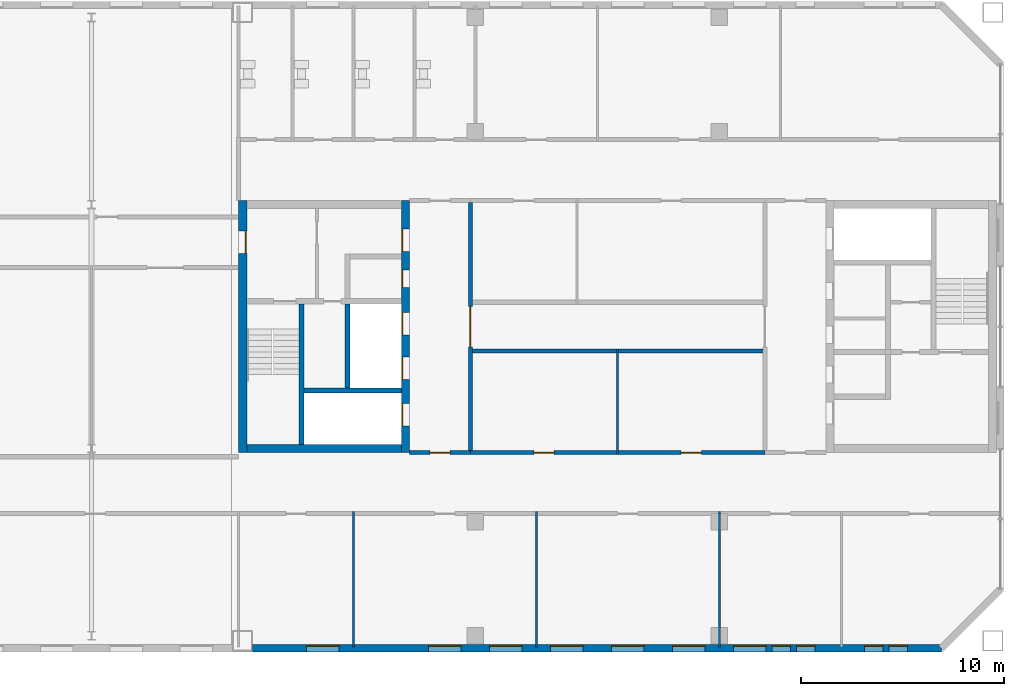
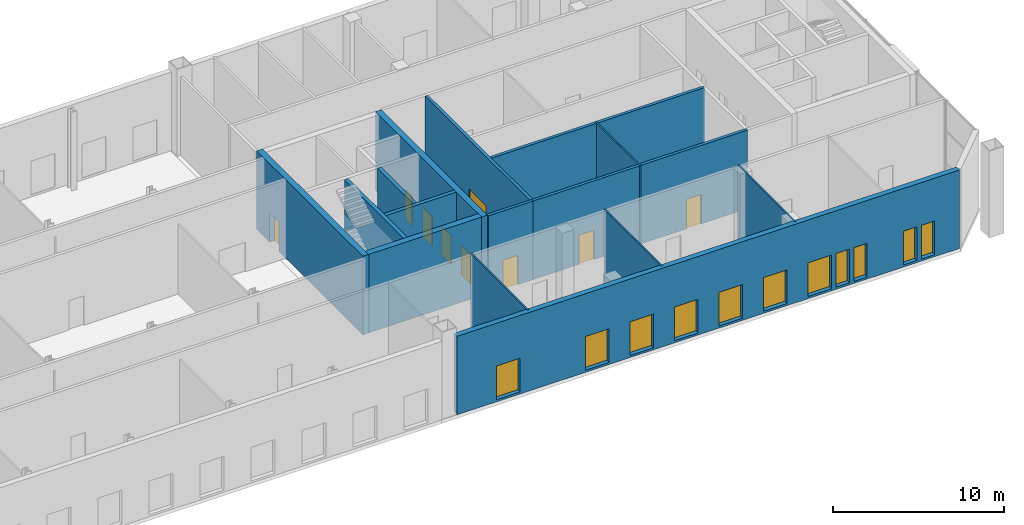
# One storey, part 14 of 20: 15 walls, 11 windows, 10 doors, 21 openings.
"""IFC4 building model written with IfcOpenShell, lengths in metres."""

import ifcopenshell
import ifcopenshell.guid

model = None  # the IFC model being written
_history = None  # IfcOwnerHistory: only IFC2X3 demands one
_inside = {}  # id of a spatial element -> (the spatial element, [elements in it])
_under = {}  # id of a project, library or spatial element -> (it, [spatial elements below it])
_declared = {}  # id of a project -> (the project, [libraries it declares])
_typed = {}  # id of a type object -> (the type object, [elements of that type])
_made_of = {}  # id of a material, layer set ... -> (it, [elements and type objects made of it])


def new_model(schema):
    """Start an empty IFC model of exactly this schema.

    Asked for "IFC4X3", IfcOpenShell would pick the latest addendum, in which some entities
    have other attributes; the version numbers below select the first issue.
    IFC2X3 requires an IfcOwnerHistory on every rooted entity: one is made here for all.
    """
    global model, _history
    if schema == "IFC4X3":
        model = ifcopenshell.file(schema_version=(4, 3, 0, 0))
    else:
        model = ifcopenshell.file(schema=schema)
    _inside.clear()
    _under.clear()
    _declared.clear()
    _typed.clear()
    _made_of.clear()
    _history = None
    if model.schema == "IFC2X3":
        org = make("IfcOrganization", Name="unknown")
        user = make(
            "IfcPersonAndOrganization",
            ThePerson=make("IfcPerson", FamilyName="unknown"),
            TheOrganization=org,
        )
        app = make(
            "IfcApplication",
            ApplicationDeveloper=org,
            Version="unknown",
            ApplicationFullName="unknown",
            ApplicationIdentifier="unknown",
        )
        _history = make(
            "IfcOwnerHistory",
            OwningUser=user,
            OwningApplication=app,
            ChangeAction="ADDED",
            CreationDate=0,
        )
    return model


def make(cls, **values):
    """One entity of the class cls with the attributes given. An attribute that is None is left unset."""
    return model.create_entity(
        cls, **{name: value for name, value in values.items() if value is not None}
    )


def rooted(cls, **values):
    """An entity with a GlobalId (a new one), such as an element, a storey or a relation."""
    return make(cls, GlobalId=ifcopenshell.guid.new(), OwnerHistory=_history, **values)


def si_unit(unit_type, name, prefix=None):
    """IfcSIUnit, for example si_unit("LENGTHUNIT", "METRE", prefix="MILLI")."""
    return make("IfcSIUnit", UnitType=unit_type, Prefix=prefix, Name=name)


def assignment(units):
    """IfcUnitAssignment: the units of a project."""
    return None if units is None else make("IfcUnitAssignment", Units=units)


def point(xyz):
    """IfcCartesianPoint."""
    return None if xyz is None else make("IfcCartesianPoint", Coordinates=xyz)


def direction(xyz):
    """IfcDirection."""
    return None if xyz is None else make("IfcDirection", DirectionRatios=xyz)


def frame(location, z_axis=None, x_axis=None):
    """IfcAxis2Placement3D, a coordinate frame: its origin and axes. An axis left out is left unset."""
    return make(
        "IfcAxis2Placement3D",
        Location=point(location),
        Axis=direction(z_axis),
        RefDirection=direction(x_axis),
    )


def frame_2d(location, x_axis=None):
    """IfcAxis2Placement2D, a coordinate frame in the plane: its origin and x axis."""
    return make(
        "IfcAxis2Placement2D", Location=point(location), RefDirection=direction(x_axis)
    )


def origin():
    """The frame at (0, 0, 0) with its axes left unset."""
    return frame((0.0, 0.0, 0.0))


def place(relative_to, where):
    """IfcLocalPlacement: puts the frame where relative to a parent placement (None: the world)."""
    return make(
        "IfcLocalPlacement", PlacementRelTo=relative_to, RelativePlacement=where
    )


def context(
    kind, dimensions, precision=None, world=None, true_north=None, identifier=None
):
    """IfcGeometricRepresentationContext, for example the 3D "Model" context."""
    return make(
        "IfcGeometricRepresentationContext",
        ContextIdentifier=identifier,
        ContextType=kind,
        CoordinateSpaceDimension=dimensions,
        Precision=precision,
        WorldCoordinateSystem=world,
        TrueNorth=true_north,
    )


def subcontext(parent, identifier, kind, view, scale=None):
    """IfcGeometricRepresentationSubContext, for example "Body" below "Model"."""
    return make(
        "IfcGeometricRepresentationSubContext",
        ContextIdentifier=identifier,
        ContextType=kind,
        ParentContext=parent,
        TargetScale=scale,
        TargetView=view,
    )


def project(units=None, contexts=None):
    """IfcProject with its units and contexts."""
    return rooted(
        "IfcProject",
        Name="project",
        RepresentationContexts=contexts,
        UnitsInContext=assignment(units),
    )


def spatial(cls, under=None, at=None, **own):
    """A site, building, storey or space (cls), placed at a placement, below another one or the project."""
    s = rooted(cls, ObjectPlacement=at, **own)
    if under is not None:
        _under.setdefault(under.id(), (under, []))[1].append(s)
    return s


def profile(cls, at=None, kind="AREA", **sizes):
    """A parametric profile (cls). Its sizes go by their IFC names, for example OverallWidth=200.0."""
    return make(cls, ProfileType=kind, Position=at, **sizes)


def rectangle(**sizes):
    """IfcRectangleProfileDef."""
    return profile("IfcRectangleProfileDef", **sizes)


def extrude(swept, where, along, depth):
    """IfcExtrudedAreaSolid: the profile swept, set in the frame where, extruded along a direction by depth."""
    return make(
        "IfcExtrudedAreaSolid",
        SweptArea=swept,
        Position=where,
        ExtrudedDirection=direction(along),
        Depth=depth,
    )


def shape(context_of_items, identifier, shape_type, items):
    """IfcShapeRepresentation: the items that make up one representation, for example the "Body"."""
    return make(
        "IfcShapeRepresentation",
        ContextOfItems=context_of_items,
        RepresentationIdentifier=identifier,
        RepresentationType=shape_type,
        Items=items,
    )


def material(Name=None, Category=None):
    """IfcMaterial."""
    return make("IfcMaterial", Name=Name, Category=Category)


def layer(
    of_material, thickness, ventilated=None, Name=None, Category=None, Priority=None
):
    """IfcMaterialLayer: one layer of a wall or slab, of a material (None: an air gap)."""
    return make(
        "IfcMaterialLayer",
        Material=of_material,
        LayerThickness=thickness,
        IsVentilated=ventilated,
        Name=Name,
        Category=Category,
        Priority=Priority,
    )


def layer_set(layers, Name=None):
    """IfcMaterialLayerSet."""
    return make("IfcMaterialLayerSet", MaterialLayers=layers, LayerSetName=Name)


def made_of(thing, what):
    """Note that an element or type object is made of a material, layer set ...; save() writes the relation."""
    if what is not None:
        _made_of.setdefault(what.id(), (what, []))[1].append(thing)
    return thing


def type_object(cls, material=None, **own):
    """A type object (cls), such as IfcWallType, which elements share."""
    return made_of(rooted(cls, **own), material)


def element(
    cls,
    number,
    at=None,
    inside=None,
    cuts=None,
    type_object=None,
    material=None,
    context=None,
    identifier="Body",
    shape_type=None,
    held_by="IfcProductDefinitionShape",
    body=None,
    shapes=None,
    **own,
):
    """One element of the class cls, such as IfcWall. Its Tag is "e" and its number.

    at: its placement. inside: the storey or other place that contains it. cuts: it is an
    opening in that element (IfcRelVoidsElement). A single representation is given by context,
    identifier, shape_type and body (its items); several are given by shapes. held_by: the class
    of the entity that holds the representations. save() writes the other relations.
    """
    e = rooted(cls, Tag="e%d" % number, ObjectPlacement=at, **own)
    if body is not None:
        shapes = [shape(context, identifier, shape_type, body)]
    if shapes is not None:
        e.Representation = make(held_by, Representations=shapes)
    if inside is not None:
        _inside.setdefault(inside.id(), (inside, []))[1].append(e)
    if cuts is not None:
        rooted(
            "IfcRelVoidsElement", RelatingBuildingElement=cuts, RelatedOpeningElement=e
        )
    if type_object is not None:
        _typed.setdefault(type_object.id(), (type_object, []))[1].append(e)
    return made_of(e, material)


def fill(opening, filler):
    """IfcRelFillsElement: the door or window that sits in an opening."""
    return rooted(
        "IfcRelFillsElement",
        RelatingOpeningElement=opening,
        RelatedBuildingElement=filler,
    )


def aggregate(whole, parts):
    """IfcRelAggregates: a whole, such as a stair, and the parts it consists of."""
    return rooted("IfcRelAggregates", RelatingObject=whole, RelatedObjects=parts)


def save(model, path):
    """Write the relations noted so far, then the file.

    IfcRelAggregates (storeys below a building ...), IfcRelContainedInSpatialStructure (elements
    in a storey), IfcRelDefinesByType, IfcRelAssociatesMaterial and IfcRelDeclares: one each for
    every whole, place, type object, material and project.
    """
    for whole, parts in _under.values():
        aggregate(whole, parts)
    for where, things in _inside.values():
        rooted(
            "IfcRelContainedInSpatialStructure",
            RelatedElements=things,
            RelatingStructure=where,
        )
    for kind, things in _typed.values():
        rooted("IfcRelDefinesByType", RelatedObjects=things, RelatingType=kind)
    for what, things in _made_of.values():
        rooted("IfcRelAssociatesMaterial", RelatedObjects=things, RelatingMaterial=what)
    for by, libraries in _declared.values():
        rooted("IfcRelDeclares", RelatingContext=by, RelatedDefinitions=libraries)
    model.write(path)


model = new_model("IFC4")

# Units and contexts
model_context = context("Model", 3, precision=1e-05, world=origin(), true_north=direction((0.0, 1.0)))
body_context = subcontext(model_context, "Body", "Model", "MODEL_VIEW")
ifc_project = project(units=[si_unit("LENGTHUNIT", "METRE"), si_unit("AREAUNIT", "SQUARE_METRE"), si_unit("VOLUMEUNIT", "CUBIC_METRE"), si_unit("PLANEANGLEUNIT", "RADIAN"), si_unit("MASSUNIT", "GRAM", prefix="KILO")], contexts=[model_context])

# Site, building, storey
site_placement = place(None, origin())
site = spatial("IfcSite", under=ifc_project, at=site_placement, CompositionType="ELEMENT")
building_placement = place(site_placement, origin())
building = spatial("IfcBuilding", under=site, at=building_placement, Name="Tuart Gate Housing", CompositionType="ELEMENT")
storey_placement = place(building_placement, frame((0.0, 0.0, 215.199951171875)))
storey = spatial("IfcBuildingStorey", under=building, at=storey_placement, Name="L61", CompositionType="ELEMENT", Elevation=215.199951171875)

# Wall, openings, windows
ifc_material_1 = material(Name="Brick", Category="masonry")
ifc_layer_1 = layer(ifc_material_1, 0.360107421875)
ifc_layer_set_1 = layer_set([ifc_layer_1], Name="Brick pier and spandrel wall 360")
wall_type_1 = type_object("IfcWallType", Name="Brick pier and spandrel wall 360", PredefinedType="STANDARD", material=ifc_layer_set_1)
wall_1_placement = place(storey_placement, frame((132.050048828125, 54.179931640625, 0.0), z_axis=(0.0, 0.0, 1.0), x_axis=(1.0, 0.0, 0.0)))
wall_1 = element("IfcWall", 1, at=wall_1_placement, inside=storey, type_object=wall_type_1, Name="External wall BLK-S L61", PredefinedType="STANDARD", context=body_context, shape_type="SweptSolid", body=[
    extrude(rectangle(XDim=33.87548828125, YDim=0.360107421875, at=frame_2d((16.937744140625, 0.0))), origin(), (0.0, 0.0, 1.0), 5.60009765625),
])
opening_1_placement = place(wall_1_placement, frame((2.64990234375, 0.0, 0.14990234375)))
opening_1 = element("IfcOpeningElement", 2, at=opening_1_placement, cuts=wall_1, Name="Opening W2", PredefinedType="OPENING", context=body_context, shape_type="SweptSolid", body=[
    extrude(rectangle(XDim=1.60009765625, YDim=2.39990234375, at=frame_2d((0.800048828125, 1.199951171875))), frame((0.0, 0.18994140625, 0.0), z_axis=(0.0, -1.0, 0.0), x_axis=(1.0, 0.0, 0.0)), (0.0, 0.0, 1.0), 0.380126953125),
])
opening_2_placement = place(wall_1_placement, frame((8.64990234375, 0.0, 0.14990234375)))
opening_2 = element("IfcOpeningElement", 3, at=opening_2_placement, cuts=wall_1, Name="Opening W2", PredefinedType="OPENING", context=body_context, shape_type="SweptSolid", body=[
    extrude(rectangle(XDim=1.60009765625, YDim=2.39990234375, at=frame_2d((0.800048828125, 1.199951171875))), frame((0.0, 0.18994140625, 0.0), z_axis=(0.0, -1.0, 0.0), x_axis=(1.0, 0.0, 0.0)), (0.0, 0.0, 1.0), 0.380126953125),
])
opening_3_placement = place(wall_1_placement, frame((11.64990234375, 0.0, 0.14990234375)))
opening_3 = element("IfcOpeningElement", 4, at=opening_3_placement, cuts=wall_1, Name="Opening W2", PredefinedType="OPENING", context=body_context, shape_type="SweptSolid", body=[
    extrude(rectangle(XDim=1.60009765625, YDim=2.39990234375, at=frame_2d((0.800048828125, 1.199951171875))), frame((0.0, 0.18994140625, 0.0), z_axis=(0.0, -1.0, 0.0), x_axis=(1.0, 0.0, 0.0)), (0.0, 0.0, 1.0), 0.380126953125),
])
opening_4_placement = place(wall_1_placement, frame((14.64990234375, 0.0, 0.14990234375)))
opening_4 = element("IfcOpeningElement", 5, at=opening_4_placement, cuts=wall_1, Name="Opening W2", PredefinedType="OPENING", context=body_context, shape_type="SweptSolid", body=[
    extrude(rectangle(XDim=1.60009765625, YDim=2.39990234375, at=frame_2d((0.800048828125, 1.199951171875))), frame((0.0, 0.18994140625, 0.0), z_axis=(0.0, -1.0, 0.0), x_axis=(1.0, 0.0, 0.0)), (0.0, 0.0, 1.0), 0.380126953125),
])
opening_5_placement = place(wall_1_placement, frame((17.64990234375, 0.0, 0.14990234375)))
opening_5 = element("IfcOpeningElement", 6, at=opening_5_placement, cuts=wall_1, Name="Opening W2", PredefinedType="OPENING", context=body_context, shape_type="SweptSolid", body=[
    extrude(rectangle(XDim=1.60009765625, YDim=2.39990234375, at=frame_2d((0.800048828125, 1.199951171875))), frame((0.0, 0.18994140625, 0.0), z_axis=(0.0, -1.0, 0.0), x_axis=(1.0, 0.0, 0.0)), (0.0, 0.0, 1.0), 0.380126953125),
])
opening_6_placement = place(wall_1_placement, frame((20.64990234375, 0.0, 0.14990234375)))
opening_6 = element("IfcOpeningElement", 7, at=opening_6_placement, cuts=wall_1, Name="Opening W2", PredefinedType="OPENING", context=body_context, shape_type="SweptSolid", body=[
    extrude(rectangle(XDim=1.60009765625, YDim=2.39990234375, at=frame_2d((0.800048828125, 1.199951171875))), frame((0.0, 0.18994140625, 0.0), z_axis=(0.0, -1.0, 0.0), x_axis=(1.0, 0.0, 0.0)), (0.0, 0.0, 1.0), 0.380126953125),
])
opening_7_placement = place(wall_1_placement, frame((23.64990234375, 0.0, 0.14990234375)))
opening_7 = element("IfcOpeningElement", 8, at=opening_7_placement, cuts=wall_1, Name="Opening W2", PredefinedType="OPENING", context=body_context, shape_type="SweptSolid", body=[
    extrude(rectangle(XDim=1.60009765625, YDim=2.39990234375, at=frame_2d((0.800048828125, 1.199951171875))), frame((0.0, 0.18994140625, 0.0), z_axis=(0.0, -1.0, 0.0), x_axis=(1.0, 0.0, 0.0)), (0.0, 0.0, 1.0), 0.380126953125),
])
opening_8_placement = place(wall_1_placement, frame((25.550048828125, 0.0, 0.14990234375)))
opening_8 = element("IfcOpeningElement", 9, at=opening_8_placement, cuts=wall_1, Name="Opening W2B", PredefinedType="OPENING", context=body_context, shape_type="SweptSolid", body=[
    extrude(rectangle(XDim=0.89990234375, YDim=2.39990234375, at=frame_2d((0.449951171875, 1.199951171875))), frame((0.0, 0.18994140625, 0.0), z_axis=(0.0, -1.0, 0.0), x_axis=(1.0, 0.0, 0.0)), (0.0, 0.0, 1.0), 0.380126953125),
])
opening_9_placement = place(wall_1_placement, frame((30.10009765625, 0.0, 0.14990234375)))
opening_9 = element("IfcOpeningElement", 10, at=opening_9_placement, cuts=wall_1, Name="Opening W2B", PredefinedType="OPENING", context=body_context, shape_type="SweptSolid", body=[
    extrude(rectangle(XDim=0.89990234375, YDim=2.39990234375, at=frame_2d((0.449951171875, 1.199951171875))), frame((0.0, 0.18994140625, 0.0), z_axis=(0.0, -1.0, 0.0), x_axis=(1.0, 0.0, 0.0)), (0.0, 0.0, 1.0), 0.380126953125),
])
opening_10_placement = place(wall_1_placement, frame((26.75, 0.0, 0.14990234375)))
opening_10 = element("IfcOpeningElement", 11, at=opening_10_placement, cuts=wall_1, Name="Opening W2B", PredefinedType="OPENING", context=body_context, shape_type="SweptSolid", body=[
    extrude(rectangle(XDim=0.89990234375, YDim=2.39990234375, at=frame_2d((0.449951171875, 1.199951171875))), frame((0.0, 0.18994140625, 0.0), z_axis=(0.0, -1.0, 0.0), x_axis=(1.0, 0.0, 0.0)), (0.0, 0.0, 1.0), 0.380126953125),
])
opening_11_placement = place(wall_1_placement, frame((31.300048828125, 0.0, 0.14990234375)))
opening_11 = element("IfcOpeningElement", 12, at=opening_11_placement, cuts=wall_1, Name="Opening W2B", PredefinedType="OPENING", context=body_context, shape_type="SweptSolid", body=[
    extrude(rectangle(XDim=0.89990234375, YDim=2.39990234375, at=frame_2d((0.449951171875, 1.199951171875))), frame((0.0, 0.18994140625, 0.0), z_axis=(0.0, -1.0, 0.0), x_axis=(1.0, 0.0, 0.0)), (0.0, 0.0, 1.0), 0.380126953125),
])
ifc_material_2 = material(Name="Aluminium frame with clear glass", Category="aluminium")
window_type_1 = type_object("IfcWindowType", Name="Garden lounge window 1600 x 2400", PartitioningType="SINGLE_PANEL", PredefinedType="WINDOW", material=ifc_material_2)
window_1_placement = place(opening_1_placement, origin())
window_1 = element("IfcWindow", 13, at=window_1_placement, inside=storey, type_object=window_type_1, Name="Window W2", OverallHeight=2.39990234375, OverallWidth=1.60009765625, PartitioningType="SINGLE_PANEL", PredefinedType="WINDOW", context=body_context, shape_type="SweptSolid", body=[
    extrude(rectangle(XDim=1.60009765625, YDim=2.39990234375, at=frame_2d((0.800048828125, 1.199951171875))), frame((0.0, 0.150146484375, 0.0), z_axis=(0.0, -1.0, 0.0), x_axis=(1.0, 0.0, 0.0)), (0.0, 0.0, 1.0), 0.06005859375),
])
fill(opening_1, window_1)
window_2_placement = place(opening_2_placement, origin())
window_2 = element("IfcWindow", 14, at=window_2_placement, inside=storey, type_object=window_type_1, Name="Window W2", OverallHeight=2.39990234375, OverallWidth=1.60009765625, PartitioningType="SINGLE_PANEL", PredefinedType="WINDOW", context=body_context, shape_type="SweptSolid", body=[
    extrude(rectangle(XDim=1.60009765625, YDim=2.39990234375, at=frame_2d((0.800048828125, 1.199951171875))), frame((0.0, 0.150146484375, 0.0), z_axis=(0.0, -1.0, 0.0), x_axis=(1.0, 0.0, 0.0)), (0.0, 0.0, 1.0), 0.06005859375),
])
fill(opening_2, window_2)
window_3_placement = place(opening_3_placement, origin())
window_3 = element("IfcWindow", 15, at=window_3_placement, inside=storey, type_object=window_type_1, Name="Window W2", OverallHeight=2.39990234375, OverallWidth=1.60009765625, PartitioningType="SINGLE_PANEL", PredefinedType="WINDOW", context=body_context, shape_type="SweptSolid", body=[
    extrude(rectangle(XDim=1.60009765625, YDim=2.39990234375, at=frame_2d((0.800048828125, 1.199951171875))), frame((0.0, 0.150146484375, 0.0), z_axis=(0.0, -1.0, 0.0), x_axis=(1.0, 0.0, 0.0)), (0.0, 0.0, 1.0), 0.06005859375),
])
fill(opening_3, window_3)
window_4_placement = place(opening_4_placement, origin())
window_4 = element("IfcWindow", 16, at=window_4_placement, inside=storey, type_object=window_type_1, Name="Window W2", OverallHeight=2.39990234375, OverallWidth=1.60009765625, PartitioningType="SINGLE_PANEL", PredefinedType="WINDOW", context=body_context, shape_type="SweptSolid", body=[
    extrude(rectangle(XDim=1.60009765625, YDim=2.39990234375, at=frame_2d((0.800048828125, 1.199951171875))), frame((0.0, 0.150146484375, 0.0), z_axis=(0.0, -1.0, 0.0), x_axis=(1.0, 0.0, 0.0)), (0.0, 0.0, 1.0), 0.06005859375),
])
fill(opening_4, window_4)
window_5_placement = place(opening_5_placement, origin())
window_5 = element("IfcWindow", 17, at=window_5_placement, inside=storey, type_object=window_type_1, Name="Window W2", OverallHeight=2.39990234375, OverallWidth=1.60009765625, PartitioningType="SINGLE_PANEL", PredefinedType="WINDOW", context=body_context, shape_type="SweptSolid", body=[
    extrude(rectangle(XDim=1.60009765625, YDim=2.39990234375, at=frame_2d((0.800048828125, 1.199951171875))), frame((0.0, 0.150146484375, 0.0), z_axis=(0.0, -1.0, 0.0), x_axis=(1.0, 0.0, 0.0)), (0.0, 0.0, 1.0), 0.06005859375),
])
fill(opening_5, window_5)
window_6_placement = place(opening_6_placement, origin())
window_6 = element("IfcWindow", 18, at=window_6_placement, inside=storey, type_object=window_type_1, Name="Window W2", OverallHeight=2.39990234375, OverallWidth=1.60009765625, PartitioningType="SINGLE_PANEL", PredefinedType="WINDOW", context=body_context, shape_type="SweptSolid", body=[
    extrude(rectangle(XDim=1.60009765625, YDim=2.39990234375, at=frame_2d((0.800048828125, 1.199951171875))), frame((0.0, 0.150146484375, 0.0), z_axis=(0.0, -1.0, 0.0), x_axis=(1.0, 0.0, 0.0)), (0.0, 0.0, 1.0), 0.06005859375),
])
fill(opening_6, window_6)
window_7_placement = place(opening_7_placement, origin())
window_7 = element("IfcWindow", 19, at=window_7_placement, inside=storey, type_object=window_type_1, Name="Window W2", OverallHeight=2.39990234375, OverallWidth=1.60009765625, PartitioningType="SINGLE_PANEL", PredefinedType="WINDOW", context=body_context, shape_type="SweptSolid", body=[
    extrude(rectangle(XDim=1.60009765625, YDim=2.39990234375, at=frame_2d((0.800048828125, 1.199951171875))), frame((0.0, 0.150146484375, 0.0), z_axis=(0.0, -1.0, 0.0), x_axis=(1.0, 0.0, 0.0)), (0.0, 0.0, 1.0), 0.06005859375),
])
fill(opening_7, window_7)
ifc_material_3 = material(Name="Aluminium frame with clear glass", Category="aluminium")
window_type_2 = type_object("IfcWindowType", Name="Garden lounge window 900 x 2400", PartitioningType="SINGLE_PANEL", PredefinedType="WINDOW", material=ifc_material_3)
window_8_placement = place(opening_8_placement, origin())
window_8 = element("IfcWindow", 20, at=window_8_placement, inside=storey, type_object=window_type_2, Name="Window W2B", OverallHeight=2.39990234375, OverallWidth=0.89990234375, PartitioningType="SINGLE_PANEL", PredefinedType="WINDOW", context=body_context, shape_type="SweptSolid", body=[
    extrude(rectangle(XDim=0.89990234375, YDim=2.39990234375, at=frame_2d((0.449951171875, 1.199951171875))), frame((0.0, 0.150146484375, 0.0), z_axis=(0.0, -1.0, 0.0), x_axis=(1.0, 0.0, 0.0)), (0.0, 0.0, 1.0), 0.06005859375),
])
fill(opening_8, window_8)
window_9_placement = place(opening_9_placement, origin())
window_9 = element("IfcWindow", 21, at=window_9_placement, inside=storey, type_object=window_type_2, Name="Window W2B", OverallHeight=2.39990234375, OverallWidth=0.89990234375, PartitioningType="SINGLE_PANEL", PredefinedType="WINDOW", context=body_context, shape_type="SweptSolid", body=[
    extrude(rectangle(XDim=0.89990234375, YDim=2.39990234375, at=frame_2d((0.449951171875, 1.199951171875))), frame((0.0, 0.150146484375, 0.0), z_axis=(0.0, -1.0, 0.0), x_axis=(1.0, 0.0, 0.0)), (0.0, 0.0, 1.0), 0.06005859375),
])
fill(opening_9, window_9)
window_10_placement = place(opening_10_placement, origin())
window_10 = element("IfcWindow", 22, at=window_10_placement, inside=storey, type_object=window_type_2, Name="Window W2B", OverallHeight=2.39990234375, OverallWidth=0.89990234375, PartitioningType="SINGLE_PANEL", PredefinedType="WINDOW", context=body_context, shape_type="SweptSolid", body=[
    extrude(rectangle(XDim=0.89990234375, YDim=2.39990234375, at=frame_2d((0.449951171875, 1.199951171875))), frame((0.0, 0.150146484375, 0.0), z_axis=(0.0, -1.0, 0.0), x_axis=(1.0, 0.0, 0.0)), (0.0, 0.0, 1.0), 0.06005859375),
])
fill(opening_10, window_10)
window_11_placement = place(opening_11_placement, origin())
window_11 = element("IfcWindow", 23, at=window_11_placement, inside=storey, type_object=window_type_2, Name="Window W2B", OverallHeight=2.39990234375, OverallWidth=0.89990234375, PartitioningType="SINGLE_PANEL", PredefinedType="WINDOW", context=body_context, shape_type="SweptSolid", body=[
    extrude(rectangle(XDim=0.89990234375, YDim=2.39990234375, at=frame_2d((0.449951171875, 1.199951171875))), frame((0.0, 0.150146484375, 0.0), z_axis=(0.0, -1.0, 0.0), x_axis=(1.0, 0.0, 0.0)), (0.0, 0.0, 1.0), 0.06005859375),
])
fill(opening_11, window_11)

# Walls
ifc_material_4 = material(Name="Concrete C40", Category="concrete")
ifc_layer_2 = layer(ifc_material_4, 0.25)
ifc_layer_set_2 = layer_set([ifc_layer_2], Name="Core wall 250 C40")
wall_type_2 = type_object("IfcWallType", Name="Core wall 250 C40", PredefinedType="SHEAR", material=ifc_layer_set_2)
wall_2_placement = place(storey_placement, frame((139.360107421875, 66.85009765625, 0.0), z_axis=(0.0, 0.0, 1.0), x_axis=(-1.0, 0.0, 0.0)))
element("IfcWall", 24, at=wall_2_placement, inside=storey, type_object=wall_type_2, Name="Core wall BG.1", PredefinedType="SHEAR", context=body_context, shape_type="SweptSolid", body=[
    extrude(rectangle(XDim=4.775146484375, YDim=0.25, at=frame_2d((2.3876953125, 0.0))), origin(), (0.0, 0.0, 1.0), 5.60009765625),
])
wall_3_placement = place(storey_placement, frame((136.7099609375, 66.97509765625, 0.0), z_axis=(0.0, 0.0, 1.0), x_axis=(0.0, 1.0, 0.0)))
element("IfcWall", 25, at=wall_3_placement, inside=storey, type_object=wall_type_2, Name="Core wall BG.4", PredefinedType="SHEAR", context=body_context, shape_type="SweptSolid", body=[
    extrude(rectangle(XDim=4.14990234375, YDim=0.25, at=frame_2d((2.074951171875, 0.0))), origin(), (0.0, 0.0, 1.0), 5.60009765625),
])
wall_4_placement = place(storey_placement, frame((134.4599609375, 64.199951171875, 0.0), z_axis=(0.0, 0.0, 1.0), x_axis=(0.0, 1.0, 0.0)))
element("IfcWall", 26, at=wall_4_placement, inside=storey, type_object=wall_type_2, Name="Core wall BG.7", PredefinedType="SHEAR", context=body_context, shape_type="SweptSolid", body=[
    extrude(rectangle(XDim=6.925048828125, YDim=0.25, at=frame_2d((3.46240234375, 0.0))), origin(), (0.0, 0.0, 1.0), 5.60009765625),
])

# Wall, openings, doors
ifc_material_5 = material(Name="Concrete C40", Category="concrete")
ifc_layer_3 = layer(ifc_material_5, 0.39990234375)
ifc_layer_set_3 = layer_set([ifc_layer_3], Name="Core wall 400 C40")
wall_type_3 = type_object("IfcWallType", Name="Core wall 400 C40", PredefinedType="SHEAR", material=ifc_layer_set_3)
wall_5_placement = place(storey_placement, frame((139.56005859375, 63.800048828125, 0.0), z_axis=(0.0, 0.0, 1.0), x_axis=(0.0, 1.0, 0.0)))
wall_5 = element("IfcWall", 27, at=wall_5_placement, inside=storey, type_object=wall_type_3, Name="Core wall BG front", PredefinedType="SHEAR", context=body_context, shape_type="SweptSolid", body=[
    extrude(rectangle(XDim=12.39990234375, YDim=0.39990234375, at=frame_2d((6.199951171875, 0.0))), origin(), (0.0, 0.0, 1.0), 5.60009765625),
])
opening_12_placement = place(wall_5_placement, frame((1.324951171875, 0.0, 0.0)))
opening_12 = element("IfcOpeningElement", 28, at=opening_12_placement, cuts=wall_5, Name="Opening LD-FB1", PredefinedType="OPENING", context=body_context, shape_type="SweptSolid", body=[
    extrude(rectangle(XDim=1.10009765625, YDim=2.10009765625, at=frame_2d((0.550048828125, 1.050048828125))), frame((0.0, 0.2099609375, 0.0), z_axis=(0.0, -1.0, 0.0), x_axis=(1.0, 0.0, 0.0)), (0.0, 0.0, 1.0), 0.419921875),
])
opening_13_placement = place(wall_5_placement, frame((3.60009765625, 0.0, 0.0)))
opening_13 = element("IfcOpeningElement", 29, at=opening_13_placement, cuts=wall_5, Name="Opening LD-LB1", PredefinedType="OPENING", context=body_context, shape_type="SweptSolid", body=[
    extrude(rectangle(XDim=1.10009765625, YDim=2.10009765625, at=frame_2d((0.550048828125, 1.050048828125))), frame((0.0, 0.2099609375, 0.0), z_axis=(0.0, -1.0, 0.0), x_axis=(1.0, 0.0, 0.0)), (0.0, 0.0, 1.0), 0.419921875),
])
opening_14_placement = place(wall_5_placement, frame((5.800048828125, 0.0, 0.0)))
opening_14 = element("IfcOpeningElement", 30, at=opening_14_placement, cuts=wall_5, Name="Opening LD-LB2", PredefinedType="OPENING", context=body_context, shape_type="SweptSolid", body=[
    extrude(rectangle(XDim=1.10009765625, YDim=2.10009765625, at=frame_2d((0.550048828125, 1.050048828125))), frame((0.0, 0.2099609375, 0.0), z_axis=(0.0, -1.0, 0.0), x_axis=(1.0, 0.0, 0.0)), (0.0, 0.0, 1.0), 0.419921875),
])
opening_15_placement = place(wall_5_placement, frame((9.89990234375, 0.0, 0.0)))
opening_15 = element("IfcOpeningElement", 31, at=opening_15_placement, cuts=wall_5, Name="Opening D3073", PredefinedType="OPENING", context=body_context, shape_type="SweptSolid", body=[
    extrude(rectangle(XDim=1.10009765625, YDim=2.10009765625, at=frame_2d((0.550048828125, 1.050048828125))), frame((0.0, 0.2099609375, 0.0), z_axis=(0.0, -1.0, 0.0), x_axis=(1.0, 0.0, 0.0)), (0.0, 0.0, 1.0), 0.419921875),
])
opening_16_placement = place(wall_5_placement, frame((8.125, 0.0, 0.0)))
opening_16 = element("IfcOpeningElement", 32, at=opening_16_placement, cuts=wall_5, Name="Opening D3074", PredefinedType="OPENING", context=body_context, shape_type="SweptSolid", body=[
    extrude(rectangle(XDim=0.85009765625, YDim=2.10009765625, at=frame_2d((0.425048828125, 1.050048828125))), frame((0.0, 0.2099609375, 0.0), z_axis=(0.0, -1.0, 0.0), x_axis=(1.0, 0.0, 0.0)), (0.0, 0.0, 1.0), 0.419921875),
])
ifc_material_6 = material(Name="Stainless steel", Category="steel")
door_type_1 = type_object("IfcDoorType", Name="Landing door 1100 x 2100", OperationType="DOUBLE_DOOR_SLIDING", PredefinedType="DOOR", material=ifc_material_6)
door_1_placement = place(opening_12_placement, origin())
door_1 = element("IfcDoor", 33, at=door_1_placement, inside=storey, type_object=door_type_1, Name="Lift landing door FB1", OperationType="DOUBLE_DOOR_SLIDING", OverallHeight=2.10009765625, OverallWidth=1.10009765625, PredefinedType="DOOR", context=body_context, shape_type="SweptSolid", body=[
    extrude(rectangle(XDim=1.10009765625, YDim=2.10009765625, at=frame_2d((0.550048828125, 1.050048828125))), frame((0.0, 0.18505859375, 0.0), z_axis=(0.0, -1.0, 0.0), x_axis=(1.0, 0.0, 0.0)), (0.0, 0.0, 1.0), 0.050048828125),
])
fill(opening_12, door_1)
door_2_placement = place(opening_13_placement, origin())
door_2 = element("IfcDoor", 34, at=door_2_placement, inside=storey, type_object=door_type_1, Name="Lift landing door LB1", OperationType="DOUBLE_DOOR_SLIDING", OverallHeight=2.10009765625, OverallWidth=1.10009765625, PredefinedType="DOOR", context=body_context, shape_type="SweptSolid", body=[
    extrude(rectangle(XDim=1.10009765625, YDim=2.10009765625, at=frame_2d((0.550048828125, 1.050048828125))), frame((0.0, 0.18505859375, 0.0), z_axis=(0.0, -1.0, 0.0), x_axis=(1.0, 0.0, 0.0)), (0.0, 0.0, 1.0), 0.050048828125),
])
fill(opening_13, door_2)
door_3_placement = place(opening_14_placement, origin())
door_3 = element("IfcDoor", 35, at=door_3_placement, inside=storey, type_object=door_type_1, Name="Lift landing door LB2", OperationType="DOUBLE_DOOR_SLIDING", OverallHeight=2.10009765625, OverallWidth=1.10009765625, PredefinedType="DOOR", context=body_context, shape_type="SweptSolid", body=[
    extrude(rectangle(XDim=1.10009765625, YDim=2.10009765625, at=frame_2d((0.550048828125, 1.050048828125))), frame((0.0, 0.18505859375, 0.0), z_axis=(0.0, -1.0, 0.0), x_axis=(1.0, 0.0, 0.0)), (0.0, 0.0, 1.0), 0.050048828125),
])
fill(opening_14, door_3)
ifc_material_7 = material(Name="Steel fire door", Category="steel")
door_type_2 = type_object("IfcDoorType", Name="Lobby door 1100 x 2100", OperationType="SINGLE_SWING_LEFT", PredefinedType="DOOR", material=ifc_material_7)
door_4_placement = place(opening_15_placement, origin())
door_4 = element("IfcDoor", 36, at=door_4_placement, inside=storey, type_object=door_type_2, Name="Lobby entry door BG.EN", OperationType="SINGLE_SWING_LEFT", OverallHeight=2.10009765625, OverallWidth=1.10009765625, PredefinedType="DOOR", context=body_context, shape_type="SweptSolid", body=[
    extrude(rectangle(XDim=1.10009765625, YDim=2.10009765625, at=frame_2d((0.550048828125, 1.050048828125))), frame((0.0, 0.18505859375, 0.0), z_axis=(0.0, -1.0, 0.0), x_axis=(1.0, 0.0, 0.0)), (0.0, 0.0, 1.0), 0.050048828125),
])
fill(opening_15, door_4)
ifc_material_8 = material(Name="Steel fire door", Category="steel")
door_type_3 = type_object("IfcDoorType", Name="Service door 850 x 2100", OperationType="SINGLE_SWING_LEFT", PredefinedType="DOOR", material=ifc_material_8)
door_5_placement = place(opening_16_placement, origin())
door_5 = element("IfcDoor", 37, at=door_5_placement, inside=storey, type_object=door_type_3, Name="Service room door BG.T1", OperationType="SINGLE_SWING_LEFT", OverallHeight=2.10009765625, OverallWidth=0.85009765625, PredefinedType="DOOR", context=body_context, shape_type="SweptSolid", body=[
    extrude(rectangle(XDim=0.85009765625, YDim=2.10009765625, at=frame_2d((0.425048828125, 1.050048828125))), frame((0.0, 0.18505859375, 0.0), z_axis=(0.0, -1.0, 0.0), x_axis=(1.0, 0.0, 0.0)), (0.0, 0.0, 1.0), 0.050048828125),
])
fill(opening_16, door_5)

# Wall, opening, door
wall_6_placement = place(storey_placement, frame((131.56005859375, 63.800048828125, 0.0), z_axis=(0.0, 0.0, 1.0), x_axis=(0.0, 1.0, 0.0)))
wall_6 = element("IfcWall", 38, at=wall_6_placement, inside=storey, type_object=wall_type_3, Name="Core wall BG back", PredefinedType="SHEAR", context=body_context, shape_type="SweptSolid", body=[
    extrude(rectangle(XDim=12.39990234375, YDim=0.39990234375, at=frame_2d((6.199951171875, 0.0))), origin(), (0.0, 0.0, 1.0), 5.60009765625),
])
opening_17_placement = place(wall_6_placement, frame((9.800048828125, 0.0, 0.0)))
opening_17 = element("IfcOpeningElement", 39, at=opening_17_placement, cuts=wall_6, Name="Opening D3072", PredefinedType="OPENING", context=body_context, shape_type="SweptSolid", body=[
    extrude(rectangle(XDim=1.10009765625, YDim=2.10009765625, at=frame_2d((0.550048828125, 1.050048828125))), frame((0.0, 0.2099609375, 0.0), z_axis=(0.0, -1.0, 0.0), x_axis=(1.0, 0.0, 0.0)), (0.0, 0.0, 1.0), 0.419921875),
])
door_6_placement = place(opening_17_placement, frame((1.10009765625, 0.0, 0.0), z_axis=(0.0, 0.0, 1.0), x_axis=(-1.0, 0.0, 0.0)))
door_6 = element("IfcDoor", 40, at=door_6_placement, inside=storey, type_object=door_type_2, Name="Link door BG.LK", OperationType="SINGLE_SWING_LEFT", OverallHeight=2.10009765625, OverallWidth=1.10009765625, PredefinedType="DOOR", context=body_context, shape_type="SweptSolid", body=[
    extrude(rectangle(XDim=1.10009765625, YDim=2.10009765625, at=frame_2d((0.550048828125, 1.050048828125))), frame((0.0, 0.184814453125, 0.0), z_axis=(0.0, -1.0, 0.0), x_axis=(1.0, 0.0, 0.0)), (0.0, 0.0, 1.0), 0.050048828125),
])
fill(opening_17, door_6)

# Wall
wall_7_placement = place(storey_placement, frame((139.360107421875, 64.0, 0.0), z_axis=(0.0, 0.0, 1.0), x_axis=(-1.0, 0.0, 0.0)))
element("IfcWall", 41, at=wall_7_placement, inside=storey, type_object=wall_type_3, Name="Core wall BG south", PredefinedType="SHEAR", context=body_context, shape_type="SweptSolid", body=[
    extrude(rectangle(XDim=7.60009765625, YDim=0.39990234375, at=frame_2d((3.800048828125, 0.0))), origin(), (0.0, 0.0, 1.0), 5.60009765625),
])

# Wall, openings, doors
ifc_material_9 = material(Name="Concrete masonry 15 MPa", Category="masonry")
ifc_layer_4 = layer(ifc_material_9, 0.199951171875)
ifc_layer_set_4 = layer_set([ifc_layer_4], Name="Corridor wall masonry 200")
wall_type_4 = type_object("IfcWallType", Name="Corridor wall masonry 200", PredefinedType="PARTITIONING", material=ifc_layer_set_4)
wall_8_placement = place(storey_placement, frame((142.760009765625, 63.800048828125, 0.0), z_axis=(0.0, 0.0, 1.0), x_axis=(1.0, 0.0, 0.0)))
wall_8 = element("IfcWall", 42, at=wall_8_placement, inside=storey, type_object=wall_type_4, Name="Corridor wall masonry 200", PredefinedType="PARTITIONING", context=body_context, shape_type="SweptSolid", body=[
    extrude(rectangle(XDim=14.47998046875, YDim=0.199951171875, at=frame_2d((7.239990234375, 0.0))), origin(), (0.0, 0.0, 1.0), 5.60009765625),
])
opening_18_placement = place(wall_8_placement, frame((3.1201171875, 0.0, 0.0)))
opening_18 = element("IfcOpeningElement", 43, at=opening_18_placement, cuts=wall_8, Name="Opening D3084", PredefinedType="OPENING", context=body_context, shape_type="SweptSolid", body=[
    extrude(rectangle(XDim=1.0, YDim=2.10009765625, at=frame_2d((0.5, 1.050048828125))), frame((0.0, 0.10986328125, 0.0), z_axis=(0.0, -1.0, 0.0), x_axis=(1.0, 0.0, 0.0)), (0.0, 0.0, 1.0), 0.219970703125),
])
opening_19_placement = place(wall_8_placement, frame((10.360107421875, 0.0, 0.0)))
opening_19 = element("IfcOpeningElement", 44, at=opening_19_placement, cuts=wall_8, Name="Opening D3085", PredefinedType="OPENING", context=body_context, shape_type="SweptSolid", body=[
    extrude(rectangle(XDim=1.0, YDim=2.10009765625, at=frame_2d((0.5, 1.050048828125))), frame((0.0, 0.10986328125, 0.0), z_axis=(0.0, -1.0, 0.0), x_axis=(1.0, 0.0, 0.0)), (0.0, 0.0, 1.0), 0.219970703125),
])
ifc_material_10 = material(Name="Timber door leaf in steel frame", Category="steel")
door_type_4 = type_object("IfcDoorType", Name="Fire door 1000", OperationType="SINGLE_SWING_LEFT", PredefinedType="DOOR", material=ifc_material_10)
door_7_placement = place(opening_18_placement, origin())
door_7 = element("IfcDoor", 45, at=door_7_placement, inside=storey, type_object=door_type_4, Name="Fire door 1000", OperationType="SINGLE_SWING_LEFT", OverallHeight=2.10009765625, OverallWidth=1.0, PredefinedType="DOOR", context=body_context, shape_type="SweptSolid", body=[
    extrude(rectangle(XDim=1.0, YDim=2.10009765625, at=frame_2d((0.5, 1.050048828125))), frame((0.0, 0.02490234375, 0.0), z_axis=(0.0, -1.0, 0.0), x_axis=(1.0, 0.0, 0.0)), (0.0, 0.0, 1.0), 0.050048828125),
])
fill(opening_18, door_7)
door_8_placement = place(opening_19_placement, origin())
door_8 = element("IfcDoor", 46, at=door_8_placement, inside=storey, type_object=door_type_4, Name="Fire door 1000", OperationType="SINGLE_SWING_LEFT", OverallHeight=2.10009765625, OverallWidth=1.0, PredefinedType="DOOR", context=body_context, shape_type="SweptSolid", body=[
    extrude(rectangle(XDim=1.0, YDim=2.10009765625, at=frame_2d((0.5, 1.050048828125))), frame((0.0, 0.02490234375, 0.0), z_axis=(0.0, -1.0, 0.0), x_axis=(1.0, 0.0, 0.0)), (0.0, 0.0, 1.0), 0.050048828125),
])
fill(opening_19, door_8)

# Wall
wall_9_placement = place(storey_placement, frame((142.760009765625, 68.800048828125, 0.0), z_axis=(0.0, 0.0, 1.0), x_axis=(1.0, 0.0, 0.0)))
element("IfcWall", 47, at=wall_9_placement, inside=storey, type_object=wall_type_4, Name="Corridor wall masonry 200", PredefinedType="PARTITIONING", context=body_context, shape_type="SweptSolid", body=[
    extrude(rectangle(XDim=14.47998046875, YDim=0.199951171875, at=frame_2d((7.239990234375, 0.0))), origin(), (0.0, 0.0, 1.0), 5.60009765625),
])

# Wall, opening, door
ifc_material_11 = material(Name="Concrete masonry 15 MPa", Category="masonry")
ifc_layer_5 = layer(ifc_material_11, 0.199951171875)
ifc_layer_set_5 = layer_set([ifc_layer_5], Name="Enclosure wall masonry 200")
wall_type_5 = type_object("IfcWallType", Name="Enclosure wall masonry 200", PredefinedType="PARTITIONING", material=ifc_layer_set_5)
wall_10_placement = place(storey_placement, frame((139.760009765625, 63.800048828125, 0.0), z_axis=(0.0, 0.0, 1.0), x_axis=(1.0, 0.0, 0.0)))
wall_10 = element("IfcWall", 48, at=wall_10_placement, inside=storey, type_object=wall_type_5, Name="Enclosure wall masonry 200", PredefinedType="PARTITIONING", context=body_context, shape_type="SweptSolid", body=[
    extrude(rectangle(XDim=3.0, YDim=0.199951171875, at=frame_2d((1.5, 0.0))), origin(), (0.0, 0.0, 1.0), 5.60009765625),
])
opening_20_placement = place(wall_10_placement, frame((1.0, 0.0, 0.0)))
opening_20 = element("IfcOpeningElement", 49, at=opening_20_placement, cuts=wall_10, Name="Opening D3083", PredefinedType="OPENING", context=body_context, shape_type="SweptSolid", body=[
    extrude(rectangle(XDim=1.0, YDim=2.10009765625, at=frame_2d((0.5, 1.050048828125))), frame((0.0, 0.10986328125, 0.0), z_axis=(0.0, -1.0, 0.0), x_axis=(1.0, 0.0, 0.0)), (0.0, 0.0, 1.0), 0.219970703125),
])
ifc_material_12 = material(Name="Timber door leaf in steel frame", Category="steel")
door_type_5 = type_object("IfcDoorType", Name="Lobby door 1000 RH", OperationType="SINGLE_SWING_RIGHT", PredefinedType="DOOR", material=ifc_material_12)
door_9_placement = place(opening_20_placement, origin())
door_9 = element("IfcDoor", 50, at=door_9_placement, inside=storey, type_object=door_type_5, Name="Lobby door 1000", OperationType="SINGLE_SWING_RIGHT", OverallHeight=2.10009765625, OverallWidth=1.0, PredefinedType="DOOR", context=body_context, shape_type="SweptSolid", body=[
    extrude(rectangle(XDim=1.0, YDim=2.10009765625, at=frame_2d((0.5, 1.050048828125))), frame((0.0, 0.02490234375, 0.0), z_axis=(0.0, -1.0, 0.0), x_axis=(1.0, 0.0, 0.0)), (0.0, 0.0, 1.0), 0.050048828125),
])
fill(opening_20, door_9)

ifc_material_13 = material(Name="Plasterboard partition")
ifc_layer_6 = layer(ifc_material_13, 0.199951171875)
ifc_layer_set_6 = layer_set([ifc_layer_6], Name="Lobby wall 200")
wall_type_6 = type_object("IfcWallType", Name="Lobby wall 200", PredefinedType="PARTITIONING", material=ifc_layer_set_6)
wall_11_placement = place(storey_placement, frame((142.760009765625, 63.89990234375, 0.0), z_axis=(0.0, 0.0, 1.0), x_axis=(0.0, 1.0, 0.0)))
wall_11 = element("IfcWall", 51, at=wall_11_placement, inside=storey, type_object=wall_type_6, Name="Lift lobby wall BG", PredefinedType="PARTITIONING", context=body_context, shape_type="SweptSolid", body=[
    extrude(rectangle(XDim=12.2001953125, YDim=0.199951171875, at=frame_2d((6.10009765625, 0.0))), origin(), (0.0, 0.0, 1.0), 5.60009765625),
])
opening_21_placement = place(wall_11_placement, frame((5.10009765625, 0.0, 0.0)))
opening_21 = element("IfcOpeningElement", 52, at=opening_21_placement, cuts=wall_11, Name="Opening D3075", PredefinedType="OPENING", context=body_context, shape_type="SweptSolid", body=[
    extrude(rectangle(XDim=2.0, YDim=2.10009765625, at=frame_2d((1.0, 1.050048828125))), frame((0.0, 0.10986328125, 0.0), z_axis=(0.0, -1.0, 0.0), x_axis=(1.0, 0.0, 0.0)), (0.0, 0.0, 1.0), 0.219970703125),
])
ifc_material_14 = material(Name="Steel fire door", Category="steel")
door_type_6 = type_object("IfcDoorType", Name="Smoke door 2000 x 2100", OperationType="DOUBLE_DOOR_SINGLE_SWING", PredefinedType="DOOR", material=ifc_material_14)
door_10_placement = place(opening_21_placement, origin())
door_10 = element("IfcDoor", 53, at=door_10_placement, inside=storey, type_object=door_type_6, Name="Lift lobby smoke door BG", OperationType="DOUBLE_DOOR_SINGLE_SWING", OverallHeight=2.10009765625, OverallWidth=2.0, PredefinedType="DOOR", context=body_context, shape_type="SweptSolid", body=[
    extrude(rectangle(XDim=2.0, YDim=2.10009765625, at=frame_2d((1.0, 1.050048828125))), frame((0.0, 0.02490234375, 0.0), z_axis=(0.0, -1.0, 0.0), x_axis=(1.0, 0.0, 0.0)), (0.0, 0.0, 1.0), 0.050048828125),
])
fill(opening_21, door_10)

# Walls
ifc_material_15 = material(Name="Gypsum board on steel studs", Category="steel")
ifc_layer_7 = layer(ifc_material_15, 0.10009765625)
ifc_layer_set_7 = layer_set([ifc_layer_7], Name="Partition 100")
wall_type_7 = type_object("IfcWallType", Name="Partition 100", PredefinedType="PARTITIONING", material=ifc_layer_set_7)
for number, where, z_axis, x_axis, name in (
    (54, (137.0, 54.239990234375, 0.0), (0.0, 0.0, 1.0), (0.0, 1.0, 0.0), "Partition 100"),
    (55, (146.0, 54.239990234375, 0.0), (0.0, 0.0, 1.0), (0.0, 1.0, 0.0), "Partition 100"),
):
    element("IfcWall", number, at=place(storey_placement, frame(where, z_axis=z_axis, x_axis=x_axis)), inside=storey, type_object=wall_type_7, Name=name, PredefinedType="PARTITIONING", context=body_context, shape_type="SweptSolid", body=[
        extrude(rectangle(XDim=6.659912109375, YDim=0.10009765625, at=frame_2d((3.330078125, 0.0))), origin(), (0.0, 0.0, 1.0), 5.60009765625),
    ])
wall_12_placement = place(storey_placement, frame((150.0, 63.699951171875, 0.0), z_axis=(0.0, 0.0, 1.0), x_axis=(0.0, 1.0, 0.0)))
element("IfcWall", 56, at=wall_12_placement, inside=storey, type_object=wall_type_7, Name="Partition 100", PredefinedType="PARTITIONING", context=body_context, shape_type="SweptSolid", body=[
    extrude(rectangle(XDim=5.199951171875, YDim=0.10009765625, at=frame_2d((2.60009765625, 0.0))), origin(), (0.0, 0.0, 1.0), 5.60009765625),
])
wall_13_placement = place(storey_placement, frame((155.0, 54.239990234375, 0.0), z_axis=(0.0, 0.0, 1.0), x_axis=(0.0, 1.0, 0.0)))
element("IfcWall", 57, at=wall_13_placement, inside=storey, type_object=wall_type_7, Name="Partition 100", PredefinedType="PARTITIONING", context=body_context, shape_type="SweptSolid", body=[
    extrude(rectangle(XDim=6.659912109375, YDim=0.10009765625, at=frame_2d((3.330078125, 0.0))), origin(), (0.0, 0.0, 1.0), 5.60009765625),
])

save(model, "model.ifc")
